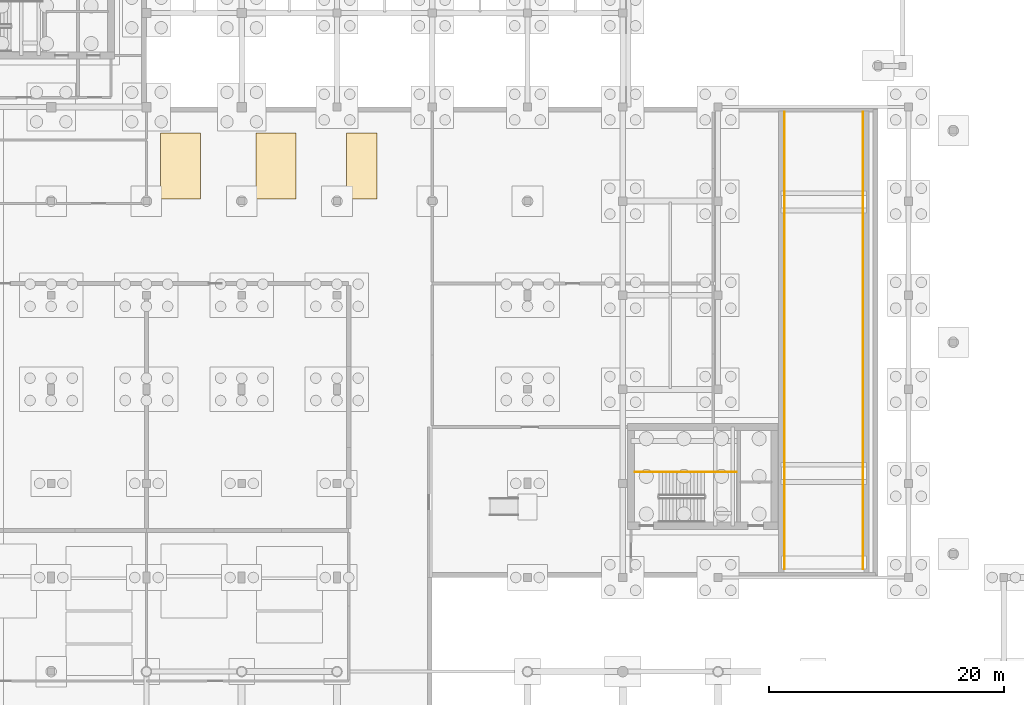
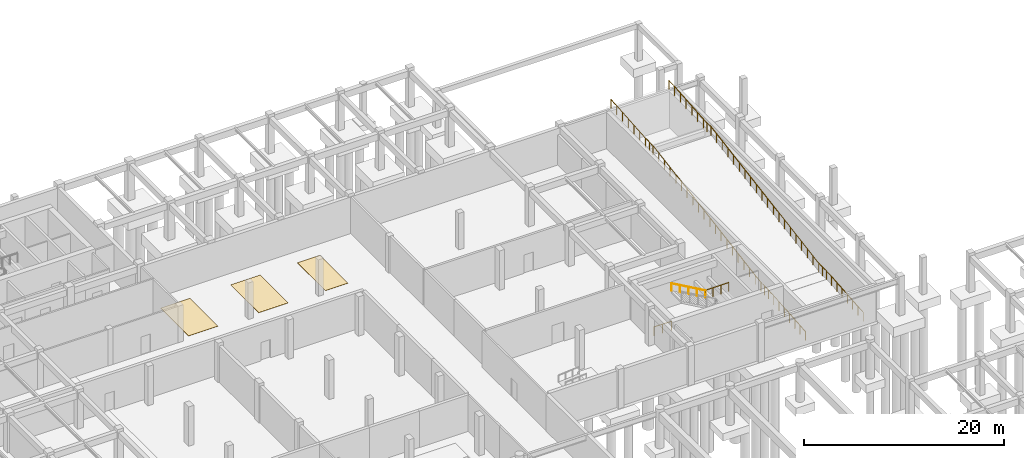
# One storey, part 25 of 25: 5 railings, 3 coverings.
"""IFC4 building model written with IfcOpenShell, lengths in metres."""

import ifcopenshell
import ifcopenshell.guid

model = None  # the IFC model being written
_history = None  # IfcOwnerHistory: only IFC2X3 demands one
_inside = {}  # id of a spatial element -> (the spatial element, [elements in it])
_under = {}  # id of a project, library or spatial element -> (it, [spatial elements below it])
_declared = {}  # id of a project -> (the project, [libraries it declares])
_typed = {}  # id of a type object -> (the type object, [elements of that type])
_made_of = {}  # id of a material, layer set ... -> (it, [elements and type objects made of it])


def new_model(schema):
    """Start an empty IFC model of exactly this schema.

    Asked for "IFC4X3", IfcOpenShell would pick the latest addendum, in which some entities
    have other attributes; the version numbers below select the first issue.
    IFC2X3 requires an IfcOwnerHistory on every rooted entity: one is made here for all.
    """
    global model, _history
    if schema == "IFC4X3":
        model = ifcopenshell.file(schema_version=(4, 3, 0, 0))
    else:
        model = ifcopenshell.file(schema=schema)
    _inside.clear()
    _under.clear()
    _declared.clear()
    _typed.clear()
    _made_of.clear()
    _history = None
    if model.schema == "IFC2X3":
        org = make("IfcOrganization", Name="unknown")
        user = make(
            "IfcPersonAndOrganization",
            ThePerson=make("IfcPerson", FamilyName="unknown"),
            TheOrganization=org,
        )
        app = make(
            "IfcApplication",
            ApplicationDeveloper=org,
            Version="unknown",
            ApplicationFullName="unknown",
            ApplicationIdentifier="unknown",
        )
        _history = make(
            "IfcOwnerHistory",
            OwningUser=user,
            OwningApplication=app,
            ChangeAction="ADDED",
            CreationDate=0,
        )
    return model


def make(cls, **values):
    """One entity of the class cls with the attributes given. An attribute that is None is left unset."""
    return model.create_entity(
        cls, **{name: value for name, value in values.items() if value is not None}
    )


def rooted(cls, **values):
    """An entity with a GlobalId (a new one), such as an element, a storey or a relation."""
    return make(cls, GlobalId=ifcopenshell.guid.new(), OwnerHistory=_history, **values)


def si_unit(unit_type, name, prefix=None):
    """IfcSIUnit, for example si_unit("LENGTHUNIT", "METRE", prefix="MILLI")."""
    return make("IfcSIUnit", UnitType=unit_type, Prefix=prefix, Name=name)


def assignment(units):
    """IfcUnitAssignment: the units of a project."""
    return None if units is None else make("IfcUnitAssignment", Units=units)


def point(xyz):
    """IfcCartesianPoint."""
    return None if xyz is None else make("IfcCartesianPoint", Coordinates=xyz)


def direction(xyz):
    """IfcDirection."""
    return None if xyz is None else make("IfcDirection", DirectionRatios=xyz)


def frame(location, z_axis=None, x_axis=None):
    """IfcAxis2Placement3D, a coordinate frame: its origin and axes. An axis left out is left unset."""
    return make(
        "IfcAxis2Placement3D",
        Location=point(location),
        Axis=direction(z_axis),
        RefDirection=direction(x_axis),
    )


def frame_2d(location, x_axis=None):
    """IfcAxis2Placement2D, a coordinate frame in the plane: its origin and x axis."""
    return make(
        "IfcAxis2Placement2D", Location=point(location), RefDirection=direction(x_axis)
    )


def origin():
    """The frame at (0, 0, 0) with its axes left unset."""
    return frame((0.0, 0.0, 0.0))


def origin_2d():
    """The frame at (0, 0) in the plane with its x axis left unset."""
    return frame_2d((0.0, 0.0))


def place(relative_to, where):
    """IfcLocalPlacement: puts the frame where relative to a parent placement (None: the world)."""
    return make(
        "IfcLocalPlacement", PlacementRelTo=relative_to, RelativePlacement=where
    )


def context(
    kind, dimensions, precision=None, world=None, true_north=None, identifier=None
):
    """IfcGeometricRepresentationContext, for example the 3D "Model" context."""
    return make(
        "IfcGeometricRepresentationContext",
        ContextIdentifier=identifier,
        ContextType=kind,
        CoordinateSpaceDimension=dimensions,
        Precision=precision,
        WorldCoordinateSystem=world,
        TrueNorth=true_north,
    )


def subcontext(parent, identifier, kind, view, scale=None):
    """IfcGeometricRepresentationSubContext, for example "Body" below "Model"."""
    return make(
        "IfcGeometricRepresentationSubContext",
        ContextIdentifier=identifier,
        ContextType=kind,
        ParentContext=parent,
        TargetScale=scale,
        TargetView=view,
    )


def project(units=None, contexts=None):
    """IfcProject with its units and contexts."""
    return rooted(
        "IfcProject",
        Name="project",
        RepresentationContexts=contexts,
        UnitsInContext=assignment(units),
    )


def spatial(cls, under=None, at=None, **own):
    """A site, building, storey or space (cls), placed at a placement, below another one or the project."""
    s = rooted(cls, ObjectPlacement=at, **own)
    if under is not None:
        _under.setdefault(under.id(), (under, []))[1].append(s)
    return s


def polyline(points):
    """IfcPolyline through the points."""
    return make("IfcPolyline", Points=[point(p) for p in points])


def profile(cls, at=None, kind="AREA", **sizes):
    """A parametric profile (cls). Its sizes go by their IFC names, for example OverallWidth=200.0."""
    return make(cls, ProfileType=kind, Position=at, **sizes)


def circle(**sizes):
    """IfcCircleProfileDef."""
    return profile("IfcCircleProfileDef", **sizes)


def outline(outer, holes=None, kind="AREA"):
    """IfcArbitraryClosedProfileDef: a profile drawn as a closed curve; with holes, ...WithVoids."""
    if holes is None:
        return make("IfcArbitraryClosedProfileDef", ProfileType=kind, OuterCurve=outer)
    return make(
        "IfcArbitraryProfileDefWithVoids",
        ProfileType=kind,
        OuterCurve=outer,
        InnerCurves=holes,
    )


def extrude(swept, where, along, depth):
    """IfcExtrudedAreaSolid: the profile swept, set in the frame where, extruded along a direction by depth."""
    return make(
        "IfcExtrudedAreaSolid",
        SweptArea=swept,
        Position=where,
        ExtrudedDirection=direction(along),
        Depth=depth,
    )


def shape(context_of_items, identifier, shape_type, items):
    """IfcShapeRepresentation: the items that make up one representation, for example the "Body"."""
    return make(
        "IfcShapeRepresentation",
        ContextOfItems=context_of_items,
        RepresentationIdentifier=identifier,
        RepresentationType=shape_type,
        Items=items,
    )


def material(Name=None, Category=None):
    """IfcMaterial."""
    return make("IfcMaterial", Name=Name, Category=Category)


def layer(
    of_material, thickness, ventilated=None, Name=None, Category=None, Priority=None
):
    """IfcMaterialLayer: one layer of a wall or slab, of a material (None: an air gap)."""
    return make(
        "IfcMaterialLayer",
        Material=of_material,
        LayerThickness=thickness,
        IsVentilated=ventilated,
        Name=Name,
        Category=Category,
        Priority=Priority,
    )


def layer_set(layers, Name=None):
    """IfcMaterialLayerSet."""
    return make("IfcMaterialLayerSet", MaterialLayers=layers, LayerSetName=Name)


def made_of(thing, what):
    """Note that an element or type object is made of a material, layer set ...; save() writes the relation."""
    if what is not None:
        _made_of.setdefault(what.id(), (what, []))[1].append(thing)
    return thing


def type_object(cls, material=None, **own):
    """A type object (cls), such as IfcWallType, which elements share."""
    return made_of(rooted(cls, **own), material)


def element(
    cls,
    number,
    at=None,
    inside=None,
    cuts=None,
    type_object=None,
    material=None,
    context=None,
    identifier="Body",
    shape_type=None,
    held_by="IfcProductDefinitionShape",
    body=None,
    shapes=None,
    **own,
):
    """One element of the class cls, such as IfcWall. Its Tag is "e" and its number.

    at: its placement. inside: the storey or other place that contains it. cuts: it is an
    opening in that element (IfcRelVoidsElement). A single representation is given by context,
    identifier, shape_type and body (its items); several are given by shapes. held_by: the class
    of the entity that holds the representations. save() writes the other relations.
    """
    e = rooted(cls, Tag="e%d" % number, ObjectPlacement=at, **own)
    if body is not None:
        shapes = [shape(context, identifier, shape_type, body)]
    if shapes is not None:
        e.Representation = make(held_by, Representations=shapes)
    if inside is not None:
        _inside.setdefault(inside.id(), (inside, []))[1].append(e)
    if cuts is not None:
        rooted(
            "IfcRelVoidsElement", RelatingBuildingElement=cuts, RelatedOpeningElement=e
        )
    if type_object is not None:
        _typed.setdefault(type_object.id(), (type_object, []))[1].append(e)
    return made_of(e, material)


def aggregate(whole, parts):
    """IfcRelAggregates: a whole, such as a stair, and the parts it consists of."""
    return rooted("IfcRelAggregates", RelatingObject=whole, RelatedObjects=parts)


def save(model, path):
    """Write the relations noted so far, then the file.

    IfcRelAggregates (storeys below a building ...), IfcRelContainedInSpatialStructure (elements
    in a storey), IfcRelDefinesByType, IfcRelAssociatesMaterial and IfcRelDeclares: one each for
    every whole, place, type object, material and project.
    """
    for whole, parts in _under.values():
        aggregate(whole, parts)
    for where, things in _inside.values():
        rooted(
            "IfcRelContainedInSpatialStructure",
            RelatedElements=things,
            RelatingStructure=where,
        )
    for kind, things in _typed.values():
        rooted("IfcRelDefinesByType", RelatedObjects=things, RelatingType=kind)
    for what, things in _made_of.values():
        rooted("IfcRelAssociatesMaterial", RelatedObjects=things, RelatingMaterial=what)
    for by, libraries in _declared.values():
        rooted("IfcRelDeclares", RelatingContext=by, RelatedDefinitions=libraries)
    model.write(path)


model = new_model("IFC4")

# Units and contexts
model_context = context("Model", 3, precision=1e-05, world=origin(), true_north=direction((0.0, 1.0)))
body_context = subcontext(model_context, "Body", "Model", "MODEL_VIEW")
ifc_project = project(units=[si_unit("LENGTHUNIT", "METRE"), si_unit("AREAUNIT", "SQUARE_METRE"), si_unit("VOLUMEUNIT", "CUBIC_METRE"), si_unit("PLANEANGLEUNIT", "RADIAN"), si_unit("MASSUNIT", "GRAM", prefix="KILO")], contexts=[model_context])

# Site, building, storey
site_placement = place(None, origin())
site = spatial("IfcSite", under=ifc_project, at=site_placement, CompositionType="ELEMENT")
building_placement = place(site_placement, origin())
building = spatial("IfcBuilding", under=site, at=building_placement, Name="Tarnveldt Square Police Headquarters", CompositionType="ELEMENT")
storey_placement = place(building_placement, frame((0.0, 0.0, -4.800048828125)))
storey = spatial("IfcBuildingStorey", under=building, at=storey_placement, Name="B1", CompositionType="ELEMENT", Elevation=-4.800048828125)

# Coverings
ifc_material_1 = material(Name="Polished cementitious terrazzo flooring", Category="concrete")
ifc_layer = layer(ifc_material_1, 0.02490234375)
ifc_layer_set = layer_set([ifc_layer], Name="Polished cementitious terrazzo flooring")
covering_type = type_object("IfcCoveringType", Name="COV-FLR-25", PredefinedType="FLOORING", material=ifc_layer_set)
covering_1_placement = place(storey_placement, origin())
element("IfcCovering", 1, at=covering_1_placement, inside=storey, type_object=covering_type, Name="Accessible Parking Bay B1-A3", PredefinedType="FLOORING", context=body_context, shape_type="SweptSolid", body=[
    extrude(outline(polyline([(69.39990234375, 88.199951171875), (69.39990234375, 93.800048828125), (66.0, 93.800048828125), (66.0, 88.199951171875), (69.39990234375, 88.199951171875)])), origin(), (0.0, 0.0, 1.0), 0.025146484375),
])
covering_2_placement = place(storey_placement, origin())
element("IfcCovering", 2, at=covering_2_placement, inside=storey, type_object=covering_type, Name="Accessible Parking Bay B1-A5", PredefinedType="FLOORING", context=body_context, shape_type="SweptSolid", body=[
    extrude(outline(polyline([(77.5, 88.199951171875), (77.5, 93.800048828125), (74.10009765625, 93.800048828125), (74.10009765625, 88.199951171875), (77.5, 88.199951171875)])), origin(), (0.0, 0.0, 1.0), 0.025146484375),
])
covering_3_placement = place(storey_placement, origin())
element("IfcCovering", 3, at=covering_3_placement, inside=storey, type_object=covering_type, Name="Patrol Parking Bay B1-08", PredefinedType="FLOORING", context=body_context, shape_type="SweptSolid", body=[
    extrude(outline(polyline([(84.39990234375, 88.199951171875), (84.39990234375, 93.800048828125), (81.800048828125, 93.800048828125), (81.800048828125, 88.199951171875), (84.39990234375, 88.199951171875)])), origin(), (0.0, 0.0, 1.0), 0.025146484375),
])

# Railings
ifc_material_2 = material(Name="Steel 350W", Category="steel")
railing_type_1 = type_object("IfcRailingType", Name="RL-GR-1100", PredefinedType="GUARDRAIL", material=ifc_material_2)
railing_1_placement = place(storey_placement, frame((112.27001953125, 64.969970703125, 2.400146484375)))
element("IfcRailing", 4, at=railing_1_placement, inside=storey, type_object=railing_type_1, Name="B1 ST4 stair guard 3", PredefinedType="GUARDRAIL", context=body_context, shape_type="SweptSolid", body=[
    extrude(circle(Radius=0.02392578125, at=origin_2d()), frame((0.0, 0.0, 1.076171875), z_axis=(1.0, 0.0, 0.0), x_axis=(0.0, 1.0, 0.0)), (0.0, 0.0, 1.0), 2.699951171875),
    extrude(circle(Radius=0.02099609375, at=origin_2d()), origin(), (0.0, 0.0, 1.0), 1.052001953125),
    extrude(circle(Radius=0.02099609375, at=origin_2d()), frame((0.89990234375, 0.0, 0.0)), (0.0, 0.0, 1.0), 1.052001953125),
    extrude(circle(Radius=0.02099609375, at=origin_2d()), frame((1.800048828125, 0.0, 0.0)), (0.0, 0.0, 1.0), 1.052001953125),
    extrude(circle(Radius=0.02099609375, at=origin_2d()), frame((2.699951171875, 0.0, 0.0)), (0.0, 0.0, 1.0), 1.052001953125),
])
railing_2_placement = place(storey_placement, frame((106.320068359375, 64.969970703125, 0.0)))
element("IfcRailing", 5, at=railing_2_placement, inside=storey, type_object=railing_type_1, Name="B1 ST4 stair guard 6", PredefinedType="GUARDRAIL", context=body_context, shape_type="SweptSolid", body=[
    extrude(circle(Radius=0.02392578125, at=origin_2d()), frame((0.0, 0.0, 1.076171875), z_axis=(1.0, 0.0, 0.0), x_axis=(0.0, 1.0, 0.0)), (0.0, 0.0, 1.0), 2.050048828125),
    extrude(circle(Radius=0.02099609375, at=origin_2d()), origin(), (0.0, 0.0, 1.0), 1.052001953125),
    extrude(circle(Radius=0.02099609375, at=origin_2d()), frame((1.02490234375, 0.0, 0.0)), (0.0, 0.0, 1.0), 1.052001953125),
    extrude(circle(Radius=0.02099609375, at=origin_2d()), frame((2.050048828125, 0.0, 0.0)), (0.0, 0.0, 1.0), 1.052001953125),
])
railing_3_placement = place(storey_placement, frame((119.06005859375, 56.719970703125, 0.0)))
element("IfcRailing", 6, at=railing_3_placement, inside=storey, type_object=railing_type_1, Name="Vehicle Ramp VR1 W Curb Guardrail", PredefinedType="GUARDRAIL", context=body_context, shape_type="SweptSolid", body=[
    extrude(circle(Radius=0.02392578125, at=origin_2d()), frame((0.0, 0.0, 1.076171875), z_axis=(0.0, 0.996710430129, 0.081045163163), x_axis=(-1.0, 0.0, 0.0)), (0.0, 0.0, 1.0), 7.404541015625),
    extrude(circle(Radius=0.02392578125, at=origin_2d()), frame((0.0, 7.380126953125, 1.67626953125), z_axis=(0.0, 1.0, 0.0), x_axis=(-1.0, 0.0, 0.0)), (0.0, 0.0, 1.0), 1.52001953125),
    extrude(circle(Radius=0.02392578125, at=origin_2d()), frame((0.0, 8.900146484375, 1.67626953125), z_axis=(0.0, 0.986345279398, 0.164690588102), x_axis=(-1.0, 0.0, 0.0)), (0.0, 0.0, 1.0), 21.8583984375),
    extrude(circle(Radius=0.02392578125, at=origin_2d()), frame((0.0, 30.4599609375, 5.27587890625), z_axis=(0.0, 1.0, 0.0), x_axis=(-1.0, 0.0, 0.0)), (0.0, 0.0, 1.0), 1.52001953125),
    extrude(circle(Radius=0.02392578125, at=origin_2d()), frame((0.0, 31.97998046875, 5.27587890625), z_axis=(0.0, 0.996707977906, 0.081075315473), x_axis=(-1.0, 0.0, 0.0)), (0.0, 0.0, 1.0), 6.9228515625),
    extrude(circle(Radius=0.02099609375, at=origin_2d()), origin(), (0.0, 0.0, 1.0), 1.052001953125),
    extrude(circle(Radius=0.02099609375, at=origin_2d()), frame((0.0, 1.05419921875, 0.085693359375)), (0.0, 0.0, 1.0), 1.052001953125),
    extrude(circle(Radius=0.02099609375, at=origin_2d()), frame((0.0, 2.108642578125, 0.17138671875)), (0.0, 0.0, 1.0), 1.052001953125),
    extrude(circle(Radius=0.02099609375, at=origin_2d()), frame((0.0, 3.162841796875, 0.257080078125)), (0.0, 0.0, 1.0), 1.052001953125),
    extrude(circle(Radius=0.02099609375, at=origin_2d()), frame((0.0, 4.21728515625, 0.343017578125)), (0.0, 0.0, 1.0), 1.052001953125),
    extrude(circle(Radius=0.02099609375, at=origin_2d()), frame((0.0, 5.271484375, 0.4287109375)), (0.0, 0.0, 1.0), 1.052001953125),
    extrude(circle(Radius=0.02099609375, at=origin_2d()), frame((0.0, 6.325927734375, 0.514404296875)), (0.0, 0.0, 1.0), 1.052001953125),
    extrude(circle(Radius=0.02099609375, at=origin_2d()), frame((0.0, 7.380126953125, 0.60009765625)), (0.0, 0.0, 1.0), 1.052001953125),
    extrude(circle(Radius=0.02099609375, at=origin_2d()), frame((0.0, 8.14013671875, 0.60009765625)), (0.0, 0.0, 1.0), 1.052001953125),
    extrude(circle(Radius=0.02099609375, at=origin_2d()), frame((0.0, 8.900146484375, 0.60009765625)), (0.0, 0.0, 1.0), 1.052001953125),
    extrude(circle(Radius=0.02099609375, at=origin_2d()), frame((0.0, 10.034912109375, 0.78955078125)), (0.0, 0.0, 1.0), 1.052001953125),
    extrude(circle(Radius=0.02099609375, at=origin_2d()), frame((0.0, 11.169677734375, 0.97900390625)), (0.0, 0.0, 1.0), 1.052001953125),
    extrude(circle(Radius=0.02099609375, at=origin_2d()), frame((0.0, 12.304443359375, 1.16845703125)), (0.0, 0.0, 1.0), 1.052001953125),
    extrude(circle(Radius=0.02099609375, at=origin_2d()), frame((0.0, 13.43896484375, 1.35791015625)), (0.0, 0.0, 1.0), 1.052001953125),
    extrude(circle(Radius=0.02099609375, at=origin_2d()), frame((0.0, 14.57373046875, 1.54736328125)), (0.0, 0.0, 1.0), 1.052001953125),
    extrude(circle(Radius=0.02099609375, at=origin_2d()), frame((0.0, 15.70849609375, 1.73681640625)), (0.0, 0.0, 1.0), 1.052001953125),
    extrude(circle(Radius=0.02099609375, at=origin_2d()), frame((0.0, 16.84326171875, 1.92626953125)), (0.0, 0.0, 1.0), 1.052001953125),
    extrude(circle(Radius=0.02099609375, at=origin_2d()), frame((0.0, 17.97802734375, 2.11572265625)), (0.0, 0.0, 1.0), 1.052001953125),
    extrude(circle(Radius=0.02099609375, at=origin_2d()), frame((0.0, 19.11279296875, 2.30517578125)), (0.0, 0.0, 1.0), 1.052001953125),
    extrude(circle(Radius=0.02099609375, at=origin_2d()), frame((0.0, 20.247314453125, 2.494873046875)), (0.0, 0.0, 1.0), 1.052001953125),
    extrude(circle(Radius=0.02099609375, at=origin_2d()), frame((0.0, 21.382080078125, 2.684326171875)), (0.0, 0.0, 1.0), 1.052001953125),
    extrude(circle(Radius=0.02099609375, at=origin_2d()), frame((0.0, 22.516845703125, 2.873779296875)), (0.0, 0.0, 1.0), 1.052001953125),
    extrude(circle(Radius=0.02099609375, at=origin_2d()), frame((0.0, 23.651611328125, 3.063232421875)), (0.0, 0.0, 1.0), 1.052001953125),
    extrude(circle(Radius=0.02099609375, at=origin_2d()), frame((0.0, 24.786376953125, 3.252685546875)), (0.0, 0.0, 1.0), 1.052001953125),
    extrude(circle(Radius=0.02099609375, at=origin_2d()), frame((0.0, 25.921142578125, 3.442138671875)), (0.0, 0.0, 1.0), 1.052001953125),
    extrude(circle(Radius=0.02099609375, at=origin_2d()), frame((0.0, 27.0556640625, 3.631591796875)), (0.0, 0.0, 1.0), 1.052001953125),
    extrude(circle(Radius=0.02099609375, at=origin_2d()), frame((0.0, 28.1904296875, 3.821044921875)), (0.0, 0.0, 1.0), 1.052001953125),
    extrude(circle(Radius=0.02099609375, at=origin_2d()), frame((0.0, 29.3251953125, 4.010498046875)), (0.0, 0.0, 1.0), 1.052001953125),
    extrude(circle(Radius=0.02099609375, at=origin_2d()), frame((0.0, 30.4599609375, 4.199951171875)), (0.0, 0.0, 1.0), 1.052001953125),
    extrude(circle(Radius=0.02099609375, at=origin_2d()), frame((0.0, 31.219970703125, 4.199951171875)), (0.0, 0.0, 1.0), 1.052001953125),
    extrude(circle(Radius=0.02099609375, at=origin_2d()), frame((0.0, 31.97998046875, 4.199951171875)), (0.0, 0.0, 1.0), 1.052001953125),
    extrude(circle(Radius=0.02099609375, at=origin_2d()), frame((0.0, 33.1298828125, 4.29345703125)), (0.0, 0.0, 1.0), 1.052001953125),
    extrude(circle(Radius=0.02099609375, at=origin_2d()), frame((0.0, 34.280029296875, 4.386962890625)), (0.0, 0.0, 1.0), 1.052001953125),
    extrude(circle(Radius=0.02099609375, at=origin_2d()), frame((0.0, 35.43017578125, 4.48046875)), (0.0, 0.0, 1.0), 1.052001953125),
    extrude(circle(Radius=0.02099609375, at=origin_2d()), frame((0.0, 36.580078125, 4.57421875)), (0.0, 0.0, 1.0), 1.052001953125),
    extrude(circle(Radius=0.02099609375, at=origin_2d()), frame((0.0, 37.72998046875, 4.667724609375)), (0.0, 0.0, 1.0), 1.052001953125),
    extrude(circle(Radius=0.02099609375, at=origin_2d()), frame((0.0, 38.880126953125, 4.76123046875)), (0.0, 0.0, 1.0), 1.052001953125),
])
railing_4_placement = place(storey_placement, frame((125.739990234375, 56.719970703125, 0.0)))
element("IfcRailing", 7, at=railing_4_placement, inside=storey, type_object=railing_type_1, Name="Vehicle Ramp VR1 E Curb Guardrail", PredefinedType="GUARDRAIL", context=body_context, shape_type="SweptSolid", body=[
    extrude(circle(Radius=0.02392578125, at=origin_2d()), frame((0.0, 0.0, 1.076171875), z_axis=(0.0, 0.996710430129, 0.081045163163), x_axis=(-1.0, 0.0, 0.0)), (0.0, 0.0, 1.0), 7.404541015625),
    extrude(circle(Radius=0.02392578125, at=origin_2d()), frame((0.0, 7.380126953125, 1.67626953125), z_axis=(0.0, 1.0, 0.0), x_axis=(-1.0, 0.0, 0.0)), (0.0, 0.0, 1.0), 1.52001953125),
    extrude(circle(Radius=0.02392578125, at=origin_2d()), frame((0.0, 8.900146484375, 1.67626953125), z_axis=(0.0, 0.986345279398, 0.164690588102), x_axis=(-1.0, 0.0, 0.0)), (0.0, 0.0, 1.0), 21.8583984375),
    extrude(circle(Radius=0.02392578125, at=origin_2d()), frame((0.0, 30.4599609375, 5.27587890625), z_axis=(0.0, 1.0, 0.0), x_axis=(-1.0, 0.0, 0.0)), (0.0, 0.0, 1.0), 1.52001953125),
    extrude(circle(Radius=0.02392578125, at=origin_2d()), frame((0.0, 31.97998046875, 5.27587890625), z_axis=(0.0, 0.996707977906, 0.081075315473), x_axis=(-1.0, 0.0, 0.0)), (0.0, 0.0, 1.0), 6.9228515625),
    extrude(circle(Radius=0.02099609375, at=origin_2d()), origin(), (0.0, 0.0, 1.0), 1.052001953125),
    extrude(circle(Radius=0.02099609375, at=origin_2d()), frame((0.0, 1.05419921875, 0.085693359375)), (0.0, 0.0, 1.0), 1.052001953125),
    extrude(circle(Radius=0.02099609375, at=origin_2d()), frame((0.0, 2.108642578125, 0.17138671875)), (0.0, 0.0, 1.0), 1.052001953125),
    extrude(circle(Radius=0.02099609375, at=origin_2d()), frame((0.0, 3.162841796875, 0.257080078125)), (0.0, 0.0, 1.0), 1.052001953125),
    extrude(circle(Radius=0.02099609375, at=origin_2d()), frame((0.0, 4.21728515625, 0.343017578125)), (0.0, 0.0, 1.0), 1.052001953125),
    extrude(circle(Radius=0.02099609375, at=origin_2d()), frame((0.0, 5.271484375, 0.4287109375)), (0.0, 0.0, 1.0), 1.052001953125),
    extrude(circle(Radius=0.02099609375, at=origin_2d()), frame((0.0, 6.325927734375, 0.514404296875)), (0.0, 0.0, 1.0), 1.052001953125),
    extrude(circle(Radius=0.02099609375, at=origin_2d()), frame((0.0, 7.380126953125, 0.60009765625)), (0.0, 0.0, 1.0), 1.052001953125),
    extrude(circle(Radius=0.02099609375, at=origin_2d()), frame((0.0, 8.14013671875, 0.60009765625)), (0.0, 0.0, 1.0), 1.052001953125),
    extrude(circle(Radius=0.02099609375, at=origin_2d()), frame((0.0, 8.900146484375, 0.60009765625)), (0.0, 0.0, 1.0), 1.052001953125),
    extrude(circle(Radius=0.02099609375, at=origin_2d()), frame((0.0, 10.034912109375, 0.78955078125)), (0.0, 0.0, 1.0), 1.052001953125),
    extrude(circle(Radius=0.02099609375, at=origin_2d()), frame((0.0, 11.169677734375, 0.97900390625)), (0.0, 0.0, 1.0), 1.052001953125),
    extrude(circle(Radius=0.02099609375, at=origin_2d()), frame((0.0, 12.304443359375, 1.16845703125)), (0.0, 0.0, 1.0), 1.052001953125),
    extrude(circle(Radius=0.02099609375, at=origin_2d()), frame((0.0, 13.43896484375, 1.35791015625)), (0.0, 0.0, 1.0), 1.052001953125),
    extrude(circle(Radius=0.02099609375, at=origin_2d()), frame((0.0, 14.57373046875, 1.54736328125)), (0.0, 0.0, 1.0), 1.052001953125),
    extrude(circle(Radius=0.02099609375, at=origin_2d()), frame((0.0, 15.70849609375, 1.73681640625)), (0.0, 0.0, 1.0), 1.052001953125),
    extrude(circle(Radius=0.02099609375, at=origin_2d()), frame((0.0, 16.84326171875, 1.92626953125)), (0.0, 0.0, 1.0), 1.052001953125),
    extrude(circle(Radius=0.02099609375, at=origin_2d()), frame((0.0, 17.97802734375, 2.11572265625)), (0.0, 0.0, 1.0), 1.052001953125),
    extrude(circle(Radius=0.02099609375, at=origin_2d()), frame((0.0, 19.11279296875, 2.30517578125)), (0.0, 0.0, 1.0), 1.052001953125),
    extrude(circle(Radius=0.02099609375, at=origin_2d()), frame((0.0, 20.247314453125, 2.494873046875)), (0.0, 0.0, 1.0), 1.052001953125),
    extrude(circle(Radius=0.02099609375, at=origin_2d()), frame((0.0, 21.382080078125, 2.684326171875)), (0.0, 0.0, 1.0), 1.052001953125),
    extrude(circle(Radius=0.02099609375, at=origin_2d()), frame((0.0, 22.516845703125, 2.873779296875)), (0.0, 0.0, 1.0), 1.052001953125),
    extrude(circle(Radius=0.02099609375, at=origin_2d()), frame((0.0, 23.651611328125, 3.063232421875)), (0.0, 0.0, 1.0), 1.052001953125),
    extrude(circle(Radius=0.02099609375, at=origin_2d()), frame((0.0, 24.786376953125, 3.252685546875)), (0.0, 0.0, 1.0), 1.052001953125),
    extrude(circle(Radius=0.02099609375, at=origin_2d()), frame((0.0, 25.921142578125, 3.442138671875)), (0.0, 0.0, 1.0), 1.052001953125),
    extrude(circle(Radius=0.02099609375, at=origin_2d()), frame((0.0, 27.0556640625, 3.631591796875)), (0.0, 0.0, 1.0), 1.052001953125),
    extrude(circle(Radius=0.02099609375, at=origin_2d()), frame((0.0, 28.1904296875, 3.821044921875)), (0.0, 0.0, 1.0), 1.052001953125),
    extrude(circle(Radius=0.02099609375, at=origin_2d()), frame((0.0, 29.3251953125, 4.010498046875)), (0.0, 0.0, 1.0), 1.052001953125),
    extrude(circle(Radius=0.02099609375, at=origin_2d()), frame((0.0, 30.4599609375, 4.199951171875)), (0.0, 0.0, 1.0), 1.052001953125),
    extrude(circle(Radius=0.02099609375, at=origin_2d()), frame((0.0, 31.219970703125, 4.199951171875)), (0.0, 0.0, 1.0), 1.052001953125),
    extrude(circle(Radius=0.02099609375, at=origin_2d()), frame((0.0, 31.97998046875, 4.199951171875)), (0.0, 0.0, 1.0), 1.052001953125),
    extrude(circle(Radius=0.02099609375, at=origin_2d()), frame((0.0, 33.1298828125, 4.29345703125)), (0.0, 0.0, 1.0), 1.052001953125),
    extrude(circle(Radius=0.02099609375, at=origin_2d()), frame((0.0, 34.280029296875, 4.386962890625)), (0.0, 0.0, 1.0), 1.052001953125),
    extrude(circle(Radius=0.02099609375, at=origin_2d()), frame((0.0, 35.43017578125, 4.48046875)), (0.0, 0.0, 1.0), 1.052001953125),
    extrude(circle(Radius=0.02099609375, at=origin_2d()), frame((0.0, 36.580078125, 4.57421875)), (0.0, 0.0, 1.0), 1.052001953125),
    extrude(circle(Radius=0.02099609375, at=origin_2d()), frame((0.0, 37.72998046875, 4.667724609375)), (0.0, 0.0, 1.0), 1.052001953125),
    extrude(circle(Radius=0.02099609375, at=origin_2d()), frame((0.0, 38.880126953125, 4.76123046875)), (0.0, 0.0, 1.0), 1.052001953125),
])
railing_type_2 = type_object("IfcRailingType", Name="RL-HR-900", PredefinedType="HANDRAIL", material=ifc_material_2)
railing_5_placement = place(storey_placement, frame((112.27001953125, 64.969970703125, 2.571533203125)))
element("IfcRailing", 8, at=railing_5_placement, inside=storey, type_object=railing_type_2, Name="B1 ST4 stair handrail 2", PredefinedType="HANDRAIL", context=body_context, shape_type="SweptSolid", body=[
    extrude(circle(Radius=0.02392578125, at=origin_2d()), frame((0.0, 0.0, 0.8759765625), z_axis=(-0.868243142124, 0.0, 0.496138938357), x_axis=(0.0, -1.0, 0.0)), (0.0, 0.0, 1.0), 4.49169921875),
    extrude(circle(Radius=0.02099609375, at=origin_2d()), origin(), (0.0, 0.0, 1.0), 0.851806640625),
    extrude(circle(Radius=0.02099609375, at=origin_2d()), frame((-0.97509765625, 0.0, 0.55712890625)), (0.0, 0.0, 1.0), 0.851806640625),
    extrude(circle(Radius=0.02099609375, at=origin_2d()), frame((-1.949951171875, 0.0, 1.1142578125)), (0.0, 0.0, 1.0), 0.851806640625),
    extrude(circle(Radius=0.02099609375, at=origin_2d()), frame((-2.9248046875, 0.0, 1.67138671875)), (0.0, 0.0, 1.0), 0.851806640625),
    extrude(circle(Radius=0.02099609375, at=origin_2d()), frame((-3.89990234375, 0.0, 2.228515625)), (0.0, 0.0, 1.0), 0.851806640625),
])

save(model, "model.ifc")
